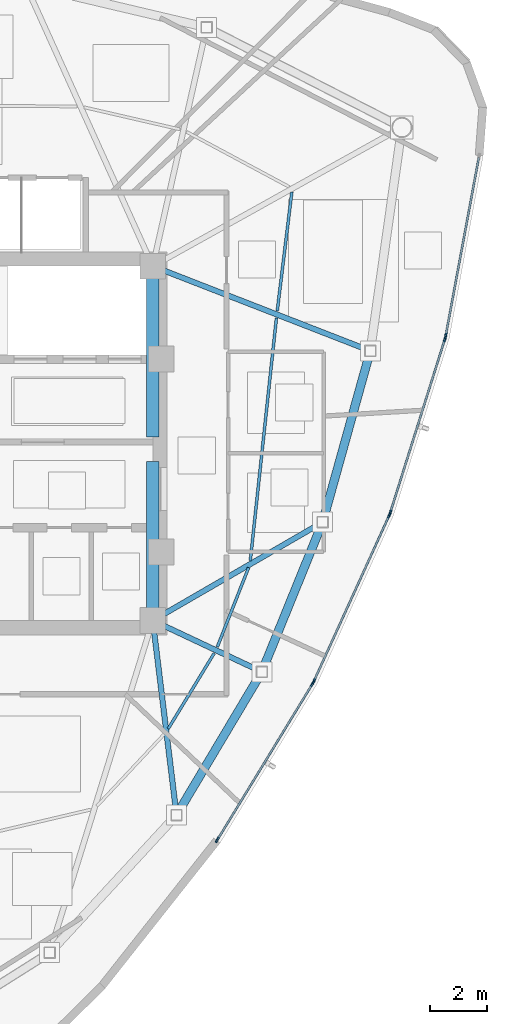
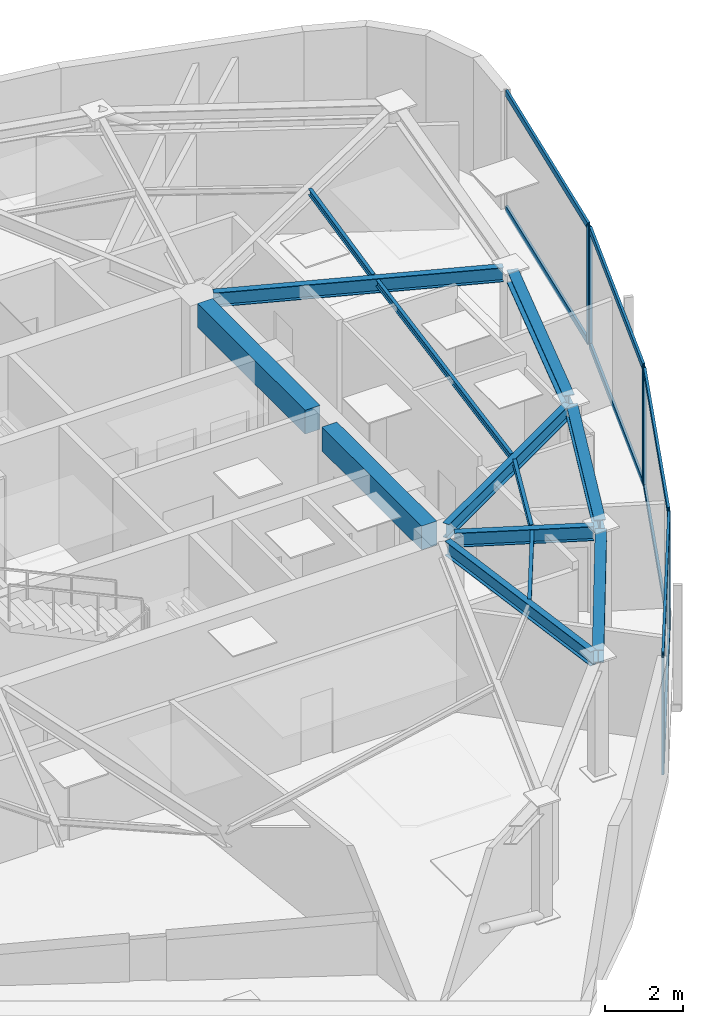
# One storey, part 4 of 13: 15 members, 13 beams, 4 elements without a shape of their own.
"""IFC4 building model written with IfcOpenShell, lengths in metres."""

from ifc_helpers import new_model, si_unit, direction, frame, origin, origin_2d, place, context, subcontext, project, spatial, rectangle, hollow_rectangle, i_section, extrude, source, transform, mapped, material, layer, layer_set, material_profile, profile_set, type_object, type_shapes, element, aggregate, save


model = new_model("IFC4")

# Units and contexts
model_context = context("Model", 3, precision=1e-05, world=origin(), true_north=direction((0.0, 1.0)))
body_context = subcontext(model_context, "Body", "Model", "MODEL_VIEW")
ifc_project = project(units=[si_unit("LENGTHUNIT", "METRE"), si_unit("AREAUNIT", "SQUARE_METRE"), si_unit("VOLUMEUNIT", "CUBIC_METRE"), si_unit("PLANEANGLEUNIT", "RADIAN"), si_unit("MASSUNIT", "GRAM", prefix="KILO")], contexts=[model_context])

# Site, building, storey
site_placement = place(None, origin())
site = spatial("IfcSite", under=ifc_project, at=site_placement, CompositionType="ELEMENT")
building_placement = place(site_placement, origin())
building = spatial("IfcBuilding", under=site, at=building_placement, Name="Tavelor Broadcast Tower", CompositionType="ELEMENT")
storey_placement = place(building_placement, frame((0.0, 0.0, 305.5)))
storey = spatial("IfcBuildingStorey", under=building, at=storey_placement, Name="L73", CompositionType="ELEMENT", Elevation=305.5)

# Beams
ifc_material_1 = material(Name="Concrete C40/50", Category="concrete")
ifc_material_profile_1 = material_profile(ifc_material_1, rectangle(XDim=0.449951171875, YDim=0.75, at=origin_2d()), Name="RC 450x750")
ifc_profile_set_1 = profile_set([ifc_material_profile_1], Name="Concrete C40/50")
beam_type_1 = type_object("IfcBeamType", Name="Basement Core Trim Beam 450x750", PredefinedType="BEAM", material=ifc_profile_set_1)
beam_1_placement = place(storey_placement, frame((56.60009765625, 45.23193359375, 3.324951171875), z_axis=(0.0, 1.0, 0.0), x_axis=(-1.0, 0.0, 0.0)))
element("IfcBeam", 1, at=beam_1_placement, inside=storey, type_object=beam_type_1, Name="L73 Core East-N Tie Girder", PredefinedType="BEAM", context=body_context, shape_type="SweptSolid", body=[
    extrude(rectangle(XDim=0.449951171875, YDim=0.75, at=origin_2d()), origin(), (0.0, 0.0, 1.0), 5.5361328125),
])
beam_2_placement = place(storey_placement, frame((56.60009765625, 39.23193359375, 3.324951171875), z_axis=(0.0, 1.0, 0.0), x_axis=(-1.0, 0.0, 0.0)))
element("IfcBeam", 2, at=beam_2_placement, inside=storey, type_object=beam_type_1, Name="L73 Core East-S Tie Girder", PredefinedType="BEAM", context=body_context, shape_type="SweptSolid", body=[
    extrude(rectangle(XDim=0.449951171875, YDim=0.75, at=origin_2d()), origin(), (0.0, 0.0, 1.0), 5.135986328125),
])
ifc_material_2 = material(Name="Steel S355", Category="steel")
ifc_material_profile_2 = material_profile(ifc_material_2, i_section(OverallWidth=0.10009765625, OverallDepth=0.199951171875, WebThickness=0.005615234375, FlangeThickness=0.008544921875, at=origin_2d()), Name="IPE 200")
ifc_profile_set_2 = profile_set([ifc_material_profile_2], Name="Steel S355")
beam_type_2 = type_object("IfcBeamType", Name="Composite Floor Joist T8 IPE 200", PredefinedType="JOIST", material=ifc_profile_set_2)
beam_3_placement = place(storey_placement, frame((57.139892578125, 35.011474609375, 3.60009765625), z_axis=(0.519987009808, 0.854174168206, 0.0), x_axis=(-0.854174168206, 0.519987009808, 0.0)))
element("IfcBeam", 3, at=beam_3_placement, inside=storey, type_object=beam_type_2, Name="L73 Secondary Composite Floor Joist 09", PredefinedType="JOIST", context=body_context, shape_type="SweptSolid", body=[
    extrude(i_section(OverallWidth=0.10009765625, OverallDepth=0.199951171875, WebThickness=0.005615234375, FlangeThickness=0.008544921875, at=origin_2d()), origin(), (0.0, 0.0, 1.0), 3.09326171875),
])
beam_4_placement = place(storey_placement, frame((58.85791015625, 37.87451171875, 3.60009765625), z_axis=(0.367159090803, 0.930158159692, 0.0), x_axis=(-0.930158159692, 0.367159090803, 0.0)))
element("IfcBeam", 4, at=beam_4_placement, inside=storey, type_object=beam_type_2, Name="L73 Secondary Composite Floor Joist 10", PredefinedType="JOIST", context=body_context, shape_type="SweptSolid", body=[
    extrude(i_section(OverallWidth=0.10009765625, OverallDepth=0.199951171875, WebThickness=0.005615234375, FlangeThickness=0.008544921875, at=origin_2d()), origin(), (0.0, 0.0, 1.0), 2.98681640625),
])
beam_5_placement = place(storey_placement, frame((60.01318359375, 40.89111328125, 3.60009765625), z_axis=(0.107016283825, 0.994257268013, 0.0), x_axis=(-0.994257268013, 0.107016283825, 0.0)))
element("IfcBeam", 5, at=beam_5_placement, inside=storey, type_object=beam_type_2, Name="L73 Secondary Composite Floor Joist 11", PredefinedType="JOIST", context=body_context, shape_type="SweptSolid", body=[
    extrude(i_section(OverallWidth=0.10009765625, OverallDepth=0.199951171875, WebThickness=0.005615234375, FlangeThickness=0.008544921875, at=origin_2d()), origin(), (0.0, 0.0, 1.0), 8.5458984375),
])
beam_6_placement = place(storey_placement, frame((60.9560546875, 49.6337890625, 3.60009765625), z_axis=(0.121805765002, 0.992553956021, 0.0), x_axis=(-0.992553956021, 0.121805765002, 0.0)))
element("IfcBeam", 6, at=beam_6_placement, inside=storey, type_object=beam_type_2, Name="L73 Secondary Composite Floor Joist 12", PredefinedType="JOIST", context=body_context, shape_type="SweptSolid", body=[
    extrude(i_section(OverallWidth=0.10009765625, OverallDepth=0.199951171875, WebThickness=0.005615234375, FlangeThickness=0.008544921875, at=origin_2d()), origin(), (0.0, 0.0, 1.0), 4.193115234375),
])
ifc_material_profile_3 = material_profile(ifc_material_2, i_section(OverallWidth=0.300048828125, OverallDepth=0.39990234375, WebThickness=0.013427734375, FlangeThickness=0.02392578125, at=origin_2d()), Name="HEB 400")
ifc_profile_set_3 = profile_set([ifc_material_profile_3], Name="Steel S355")
beam_type_3 = type_object("IfcBeamType", Name="Perimeter Spandrel Beam T8 HEB 400", PredefinedType="SPANDREL", material=ifc_profile_set_3)
beam_7_placement = place(storey_placement, frame((57.52978515625, 32.156982421875, 3.5), z_axis=(0.511792514175, 0.859109086458, 0.0), x_axis=(-0.859109086458, 0.511792514175, 0.0)))
element("IfcBeam", 7, at=beam_7_placement, inside=storey, type_object=beam_type_3, Name="L73 Framed-Tube Ring Spandrel 09", PredefinedType="SPANDREL", context=body_context, shape_type="SweptSolid", body=[
    extrude(i_section(OverallWidth=0.300048828125, OverallDepth=0.39990234375, WebThickness=0.013427734375, FlangeThickness=0.02392578125, at=origin_2d()), origin(), (0.0, 0.0, 1.0), 5.450439453125),
])
beam_8_placement = place(storey_placement, frame((60.48974609375, 37.182373046875, 3.5), z_axis=(0.376276339412, 0.926507483186, 0.0), x_axis=(-0.926507483186, 0.376276339412, 0.0)))
element("IfcBeam", 8, at=beam_8_placement, inside=storey, type_object=beam_type_3, Name="L73 Framed-Tube Ring Spandrel 10", PredefinedType="SPANDREL", context=body_context, shape_type="SweptSolid", body=[
    extrude(i_section(OverallWidth=0.300048828125, OverallDepth=0.39990234375, WebThickness=0.013427734375, FlangeThickness=0.02392578125, at=origin_2d()), origin(), (0.0, 0.0, 1.0), 5.267333984375),
])
beam_9_placement = place(storey_placement, frame((62.59521484375, 42.425537109375, 3.5), z_axis=(0.268372403698, 0.963315240684, 0.0), x_axis=(-0.963315240684, 0.268372403698, 0.0)))
element("IfcBeam", 9, at=beam_9_placement, inside=storey, type_object=beam_type_3, Name="L73 Framed-Tube Ring Spandrel 11", PredefinedType="SPANDREL", context=body_context, shape_type="SweptSolid", body=[
    extrude(i_section(OverallWidth=0.300048828125, OverallDepth=0.39990234375, WebThickness=0.013427734375, FlangeThickness=0.02392578125, at=origin_2d()), origin(), (0.0, 0.0, 1.0), 5.84130859375),
])
ifc_material_profile_4 = material_profile(ifc_material_2, i_section(OverallWidth=0.18994140625, OverallDepth=0.449951171875, WebThickness=0.009521484375, FlangeThickness=0.0146484375, at=origin_2d()), Name="IPE 450")
ifc_profile_set_4 = profile_set([ifc_material_profile_4], Name="Steel S355")
beam_type_4 = type_object("IfcBeamType", Name="Radial Floor Girder T8 IPE 450", PredefinedType="BEAM", material=ifc_profile_set_4)
beam_10_placement = place(storey_placement, frame((56.65234375, 38.37109375, 3.47509765625), z_axis=(0.121238833005, -0.992623365316, 0.0), x_axis=(0.992623365316, 0.121238833005, 0.0)))
element("IfcBeam", 10, at=beam_10_placement, inside=storey, type_object=beam_type_4, Name="L73 Radial Primary Floor Girder 09", PredefinedType="BEAM", context=body_context, shape_type="SweptSolid", body=[
    extrude(i_section(OverallWidth=0.18994140625, OverallDepth=0.449951171875, WebThickness=0.009521484375, FlangeThickness=0.0146484375, at=origin_2d()), origin(), (0.0, 0.0, 1.0), 6.234375),
])
beam_11_placement = place(storey_placement, frame((56.990966796875, 38.6162109375, 3.47509765625), z_axis=(0.904900260626, -0.425623681578, 0.0), x_axis=(0.425623681578, 0.904900260626, 0.0)))
element("IfcBeam", 11, at=beam_11_placement, inside=storey, type_object=beam_type_4, Name="L73 Radial Primary Floor Girder 10", PredefinedType="BEAM", context=body_context, shape_type="SweptSolid", body=[
    extrude(i_section(OverallWidth=0.18994140625, OverallDepth=0.449951171875, WebThickness=0.009521484375, FlangeThickness=0.0146484375, at=origin_2d()), origin(), (0.0, 0.0, 1.0), 3.5947265625),
])
beam_12_placement = place(storey_placement, frame((56.973876953125, 39.016357421875, 3.47509765625), z_axis=(0.865467330789, 0.500965367402, 0.0), x_axis=(-0.500965367402, 0.865467330789, 0.0)))
element("IfcBeam", 12, at=beam_12_placement, inside=storey, type_object=beam_type_4, Name="L73 Radial Primary Floor Girder 11", PredefinedType="BEAM", context=body_context, shape_type="SweptSolid", body=[
    extrude(i_section(OverallWidth=0.18994140625, OverallDepth=0.449951171875, WebThickness=0.009521484375, FlangeThickness=0.0146484375, at=origin_2d()), origin(), (0.0, 0.0, 1.0), 6.243896484375),
])
beam_13_placement = place(storey_placement, frame((57.002685546875, 51.04345703125, 3.47509765625), z_axis=(0.931931795654, -0.362633600552, 0.0), x_axis=(0.362633600552, 0.931931795654, 0.0)))
element("IfcBeam", 13, at=beam_13_placement, inside=storey, type_object=beam_type_4, Name="L73 Radial Primary Floor Girder 12", PredefinedType="BEAM", context=body_context, shape_type="SweptSolid", body=[
    extrude(i_section(OverallWidth=0.18994140625, OverallDepth=0.449951171875, WebThickness=0.009521484375, FlangeThickness=0.0146484375, at=origin_2d()), origin(), (0.0, 0.0, 1.0), 7.54638671875),
])

# Curtain wall, members
ifc_material_3 = material(Name="Architectural Anodized Aluminium", Category="aluminium")
ifc_layer = layer(ifc_material_3, 0.199951171875)
ifc_layer_set = layer_set([ifc_layer], Name="Architectural Anodized Aluminium")
curtain_wall_type = type_object("IfcCurtainWallType", Name="Tower High-Zone Triple-Glazed Curtain Wall CW04", PredefinedType="NOTDEFINED", material=ifc_layer_set)
curtain_wall_1_placement = place(storey_placement, origin())
curtain_wall_1 = element("IfcCurtainWall", 14, at=curtain_wall_1_placement, inside=storey, type_object=curtain_wall_type, Name="L73 Curtain Wall CW04 Run 809", PredefinedType="NOTDEFINED")
ifc_material_profile_5 = material_profile(ifc_material_3, hollow_rectangle(XDim=0.070068359375, YDim=0.199951171875, WallThickness=0.02197265625, at=origin_2d()), Name="RHS 70x200x22")
ifc_profile_set_5 = profile_set([ifc_material_profile_5], Name="Architectural Anodized Aluminium")
member_type_1 = type_object("IfcMemberType", Name="CW04 Extruded Aluminium Mullion 70x200", PredefinedType="MULLION", material=ifc_profile_set_5)
shared_shape_1 = source(origin(), body_context, "Body", "SweptSolid", [
    extrude(hollow_rectangle(XDim=0.070068359375, YDim=0.199951171875, WallThickness=0.02197265625, at=origin_2d()), origin(), (0.0, 0.0, 1.0), 3.699951171875),
])
type_shapes(member_type_1, [shared_shape_1])
member_1_placement = place(storey_placement, frame((58.85986328125, 31.123291015625, 0.0), z_axis=(0.0, 0.0, 1.0), x_axis=(-0.853775046841, 0.520642074165, 0.0)))
member_1 = element("IfcMember", 15, at=member_1_placement, type_object=member_type_1, Name="CW04 mullion 1", PredefinedType="MULLION", context=body_context, shape_type="MappedRepresentation", body=[
    mapped(shared_shape_1, transform((0.0, 0.0, 0.0), scale=1.0)),
])
member_2_placement = place(storey_placement, frame((62.189697265625, 36.583251953125, 0.0), z_axis=(0.0, 0.0, 1.0), x_axis=(-0.853775046841, 0.520642074165, 0.0)))
member_2 = element("IfcMember", 16, at=member_2_placement, type_object=member_type_1, Name="CW04 mullion 2", PredefinedType="MULLION", context=body_context, shape_type="MappedRepresentation", body=[
    mapped(shared_shape_1, transform((0.0, 0.0, 0.0), scale=1.0)),
])

curtain_wall_2_placement = place(storey_placement, origin())
curtain_wall_2 = element("IfcCurtainWall", 17, at=curtain_wall_2_placement, inside=storey, type_object=curtain_wall_type, Name="L73 Curtain Wall CW04 Run 810", PredefinedType="NOTDEFINED")
member_3_placement = place(storey_placement, frame((62.236328125, 36.671630859375, 0.0), z_axis=(0.0, 0.0, 1.0), x_axis=(-0.910506058723, 0.413495727946, 0.0)))
member_3 = element("IfcMember", 18, at=member_3_placement, type_object=member_type_1, Name="CW04 mullion 1", PredefinedType="MULLION", context=body_context, shape_type="MappedRepresentation", body=[
    mapped(shared_shape_1, transform((0.0, 0.0, 0.0), scale=1.0)),
])
member_4_placement = place(storey_placement, frame((64.87451171875, 42.48095703125, 0.0), z_axis=(0.0, 0.0, 1.0), x_axis=(-0.910506058723, 0.413495727946, 0.0)))
member_4 = element("IfcMember", 19, at=member_4_placement, type_object=member_type_1, Name="CW04 mullion 2", PredefinedType="MULLION", context=body_context, shape_type="MappedRepresentation", body=[
    mapped(shared_shape_1, transform((0.0, 0.0, 0.0), scale=1.0)),
])

curtain_wall_3_placement = place(storey_placement, origin())
curtain_wall_3 = element("IfcCurtainWall", 20, at=curtain_wall_3_placement, inside=storey, type_object=curtain_wall_type, Name="L73 Curtain Wall CW04 Run 811", PredefinedType="NOTDEFINED")
member_5_placement = place(storey_placement, frame((64.91015625, 42.57421875, 0.0), z_axis=(0.0, 0.0, 1.0), x_axis=(-0.953853609037, 0.300272030878, 0.0)))
member_5 = element("IfcMember", 21, at=member_5_placement, type_object=member_type_1, Name="CW04 mullion 1", PredefinedType="MULLION", context=body_context, shape_type="MappedRepresentation", body=[
    mapped(shared_shape_1, transform((0.0, 0.0, 0.0), scale=1.0)),
])
member_6_placement = place(storey_placement, frame((66.825927734375, 48.659912109375, 0.0), z_axis=(0.0, 0.0, 1.0), x_axis=(-0.953853609037, 0.300272030878, 0.0)))
member_6 = element("IfcMember", 22, at=member_6_placement, type_object=member_type_1, Name="CW04 mullion 2", PredefinedType="MULLION", context=body_context, shape_type="MappedRepresentation", body=[
    mapped(shared_shape_1, transform((0.0, 0.0, 0.0), scale=1.0)),
])

# Curtain wall, member
curtain_wall_4_placement = place(storey_placement, origin())
curtain_wall_4 = element("IfcCurtainWall", 23, at=curtain_wall_4_placement, inside=storey, type_object=curtain_wall_type, Name="L73 Curtain Wall CW04 Run 812", PredefinedType="NOTDEFINED")
member_7_placement = place(storey_placement, frame((66.85009765625, 48.7568359375, 0.0), z_axis=(0.0, 0.0, 1.0), x_axis=(-0.983176518023, 0.182657971102, 0.0)))
member_7 = element("IfcMember", 24, at=member_7_placement, type_object=member_type_1, Name="CW04 mullion 1", PredefinedType="MULLION", context=body_context, shape_type="MappedRepresentation", body=[
    mapped(shared_shape_1, transform((0.0, 0.0, 0.0), scale=1.0)),
])

# Member
ifc_material_profile_6 = material_profile(ifc_material_3, hollow_rectangle(XDim=0.070068359375, YDim=0.199951171875, WallThickness=0.02197265625, at=origin_2d()), Name="RHS 70x200x22")
ifc_profile_set_6 = profile_set([ifc_material_profile_6], Name="Architectural Anodized Aluminium")
member_type_2 = type_object("IfcMemberType", Name="CW04 Extruded Aluminium Transom 70x200", PredefinedType="USERDEFINED", material=ifc_profile_set_6)
shared_shape_2 = source(origin(), body_context, "Body", "SweptSolid", [
    extrude(hollow_rectangle(XDim=0.070068359375, YDim=0.199951171875, WallThickness=0.02197265625, at=origin_2d()), origin(), (0.0, 0.0, 1.0), 6.3251953125),
])
member_8_placement = place(storey_placement, frame((58.878173828125, 31.153076171875, 0.034912109375), z_axis=(0.520641050177, 0.853775671281, 0.0), x_axis=(-0.853775671281, 0.520641050177, 0.0)))
member_8 = element("IfcMember", 25, at=member_8_placement, type_object=member_type_2, Name="CW04 transom 1.1", ObjectType="TRANSOM", PredefinedType="USERDEFINED", context=body_context, shape_type="MappedRepresentation", body=[
    mapped(shared_shape_2, transform((0.0, 0.0, 0.0), scale=1.0)),
])

member_9_placement = place(storey_placement, frame((58.878173828125, 31.153076171875, 3.6650390625), z_axis=(0.520641050177, 0.853775671281, 0.0), x_axis=(-0.853775671281, 0.520641050177, 0.0)))
member_9 = element("IfcMember", 26, at=member_9_placement, type_object=member_type_2, Name="CW04 transom 1.2", ObjectType="TRANSOM", PredefinedType="USERDEFINED", context=body_context, shape_type="MappedRepresentation", body=[
    mapped(shared_shape_2, transform((0.0, 0.0, 0.0), scale=1.0)),
])

aggregate(curtain_wall_1, [member_1, member_2, member_8, member_9])

shared_shape_3 = source(origin(), body_context, "Body", "SweptSolid", [
    extrude(hollow_rectangle(XDim=0.070068359375, YDim=0.199951171875, WallThickness=0.02197265625, at=origin_2d()), origin(), (0.0, 0.0, 1.0), 6.310302734375),
])
member_10_placement = place(storey_placement, frame((62.250732421875, 36.703369140625, 0.034912109375), z_axis=(0.413505601665, 0.910501574624, 0.0), x_axis=(-0.910501574624, 0.413505601665, 0.0)))
member_10 = element("IfcMember", 27, at=member_10_placement, type_object=member_type_2, Name="CW04 transom 1.1", ObjectType="TRANSOM", PredefinedType="USERDEFINED", context=body_context, shape_type="MappedRepresentation", body=[
    mapped(shared_shape_3, transform((0.0, 0.0, 0.0), scale=1.0)),
])

member_11_placement = place(storey_placement, frame((62.250732421875, 36.703369140625, 3.6650390625), z_axis=(0.413505601665, 0.910501574624, 0.0), x_axis=(-0.910501574624, 0.413505601665, 0.0)))
member_11 = element("IfcMember", 28, at=member_11_placement, type_object=member_type_2, Name="CW04 transom 1.2", ObjectType="TRANSOM", PredefinedType="USERDEFINED", context=body_context, shape_type="MappedRepresentation", body=[
    mapped(shared_shape_3, transform((0.0, 0.0, 0.0), scale=1.0)),
])

aggregate(curtain_wall_2, [member_3, member_4, member_10, member_11])

shared_shape_4 = source(origin(), body_context, "Body", "SweptSolid", [
    extrude(hollow_rectangle(XDim=0.070068359375, YDim=0.199951171875, WallThickness=0.02197265625, at=origin_2d()), origin(), (0.0, 0.0, 1.0), 6.326171875),
])
member_12_placement = place(storey_placement, frame((66.8564453125, 48.791259765625, 0.034912109375), z_axis=(0.182657211787, 0.983176659091, 0.0), x_axis=(-0.983176659091, 0.182657211787, 0.0)))
member_12 = element("IfcMember", 29, at=member_12_placement, type_object=member_type_2, Name="CW04 transom 1.1", ObjectType="TRANSOM", PredefinedType="USERDEFINED", context=body_context, shape_type="MappedRepresentation", body=[
    mapped(shared_shape_4, transform((0.0, 0.0, 0.0), scale=1.0)),
])

member_13_placement = place(storey_placement, frame((66.8564453125, 48.791259765625, 3.6650390625), z_axis=(0.182657211787, 0.983176659091, 0.0), x_axis=(-0.983176659091, 0.182657211787, 0.0)))
member_13 = element("IfcMember", 30, at=member_13_placement, type_object=member_type_2, Name="CW04 transom 1.2", ObjectType="TRANSOM", PredefinedType="USERDEFINED", context=body_context, shape_type="MappedRepresentation", body=[
    mapped(shared_shape_4, transform((0.0, 0.0, 0.0), scale=1.0)),
])

aggregate(curtain_wall_4, [member_7, member_12, member_13])

shared_shape_5 = source(origin(), body_context, "Body", "SweptSolid", [
    extrude(hollow_rectangle(XDim=0.070068359375, YDim=0.199951171875, WallThickness=0.02197265625, at=origin_2d()), origin(), (0.0, 0.0, 1.0), 6.31005859375),
])
type_shapes(member_type_2, [shared_shape_2, shared_shape_3, shared_shape_4, shared_shape_5])
member_14_placement = place(storey_placement, frame((64.920654296875, 42.607666015625, 0.034912109375), z_axis=(0.300281311978, 0.953850687307, 0.0), x_axis=(-0.953850687307, 0.300281311978, 0.0)))
member_14 = element("IfcMember", 31, at=member_14_placement, type_object=member_type_2, Name="CW04 transom 1.1", ObjectType="TRANSOM", PredefinedType="USERDEFINED", context=body_context, shape_type="MappedRepresentation", body=[
    mapped(shared_shape_5, transform((0.0, 0.0, 0.0), scale=1.0)),
])

member_15_placement = place(storey_placement, frame((64.920654296875, 42.607666015625, 3.6650390625), z_axis=(0.300281311978, 0.953850687307, 0.0), x_axis=(-0.953850687307, 0.300281311978, 0.0)))
member_15 = element("IfcMember", 32, at=member_15_placement, type_object=member_type_2, Name="CW04 transom 1.2", ObjectType="TRANSOM", PredefinedType="USERDEFINED", context=body_context, shape_type="MappedRepresentation", body=[
    mapped(shared_shape_5, transform((0.0, 0.0, 0.0), scale=1.0)),
])

aggregate(curtain_wall_3, [member_5, member_6, member_14, member_15])

save(model, "model.ifc")
